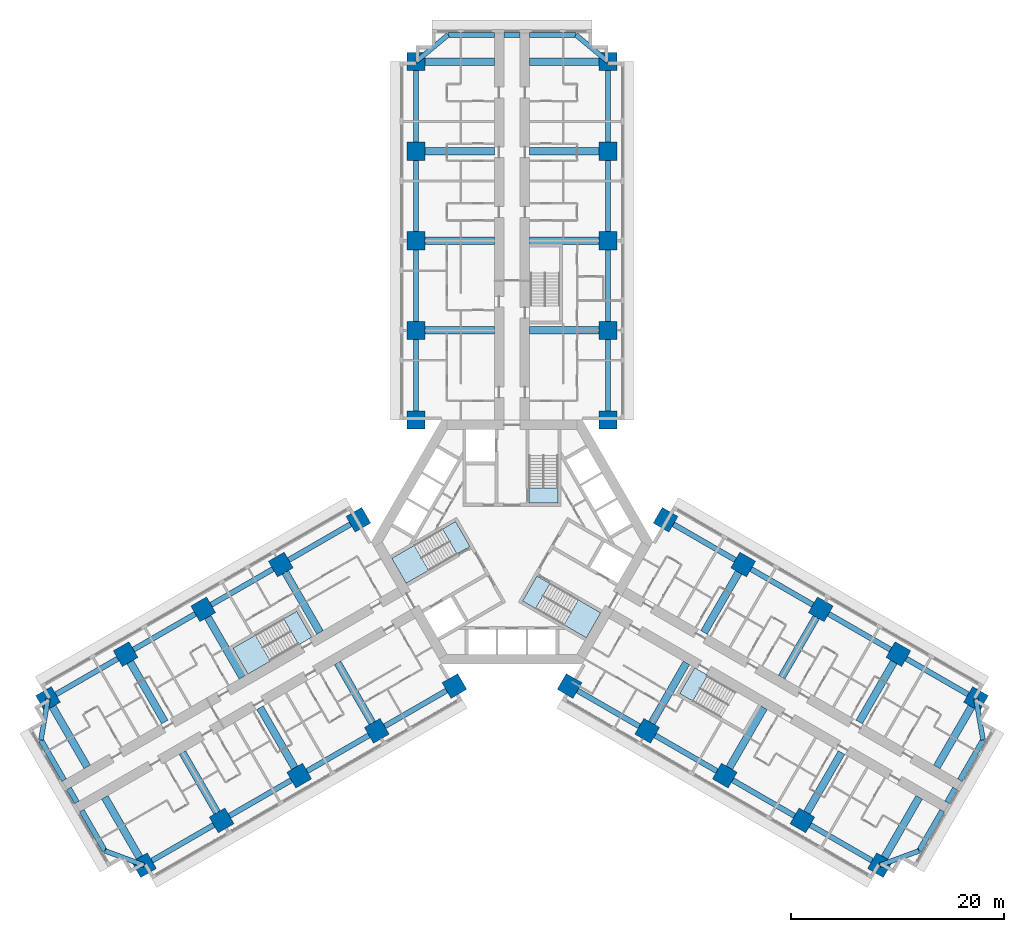
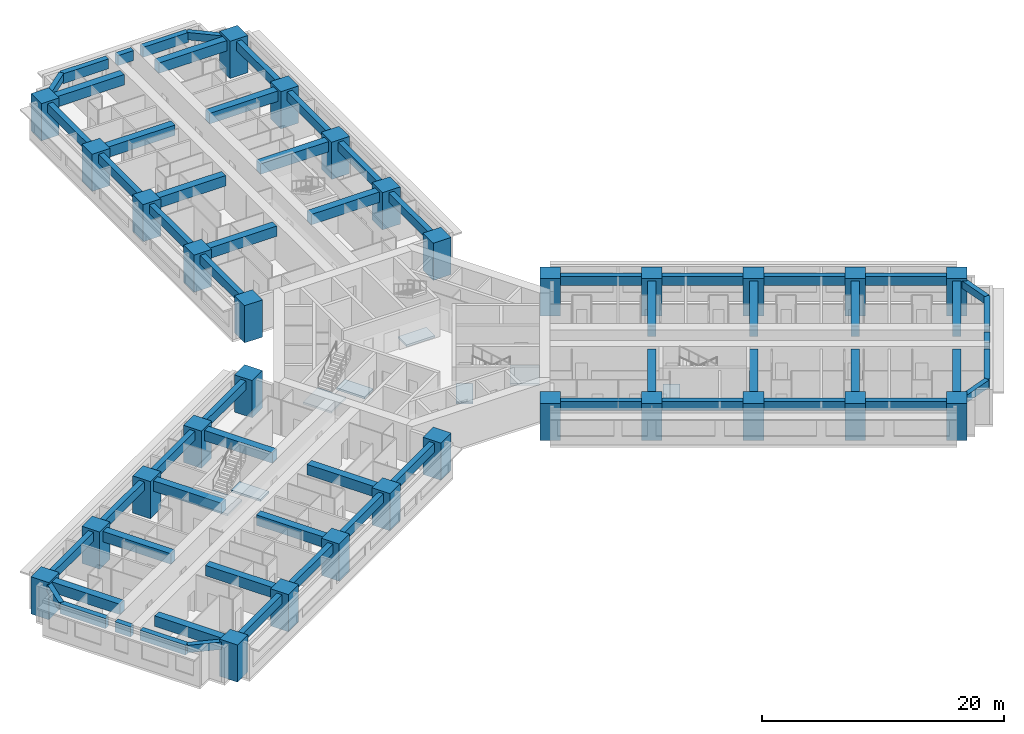
# One storey, part 1 of 16: 63 beams, 30 columns, 8 slabs, 5 elements without a shape of their own.
"""IFC4 building model written with IfcOpenShell, lengths in metres."""

import ifcopenshell
import ifcopenshell.guid

model = None  # the IFC model being written
_history = None  # IfcOwnerHistory: only IFC2X3 demands one
_inside = {}  # id of a spatial element -> (the spatial element, [elements in it])
_under = {}  # id of a project, library or spatial element -> (it, [spatial elements below it])
_declared = {}  # id of a project -> (the project, [libraries it declares])
_typed = {}  # id of a type object -> (the type object, [elements of that type])
_made_of = {}  # id of a material, layer set ... -> (it, [elements and type objects made of it])


def new_model(schema):
    """Start an empty IFC model of exactly this schema.

    Asked for "IFC4X3", IfcOpenShell would pick the latest addendum, in which some entities
    have other attributes; the version numbers below select the first issue.
    IFC2X3 requires an IfcOwnerHistory on every rooted entity: one is made here for all.
    """
    global model, _history
    if schema == "IFC4X3":
        model = ifcopenshell.file(schema_version=(4, 3, 0, 0))
    else:
        model = ifcopenshell.file(schema=schema)
    _inside.clear()
    _under.clear()
    _declared.clear()
    _typed.clear()
    _made_of.clear()
    _history = None
    if model.schema == "IFC2X3":
        org = make("IfcOrganization", Name="unknown")
        user = make(
            "IfcPersonAndOrganization",
            ThePerson=make("IfcPerson", FamilyName="unknown"),
            TheOrganization=org,
        )
        app = make(
            "IfcApplication",
            ApplicationDeveloper=org,
            Version="unknown",
            ApplicationFullName="unknown",
            ApplicationIdentifier="unknown",
        )
        _history = make(
            "IfcOwnerHistory",
            OwningUser=user,
            OwningApplication=app,
            ChangeAction="ADDED",
            CreationDate=0,
        )
    return model


def make(cls, **values):
    """One entity of the class cls with the attributes given. An attribute that is None is left unset."""
    return model.create_entity(
        cls, **{name: value for name, value in values.items() if value is not None}
    )


def rooted(cls, **values):
    """An entity with a GlobalId (a new one), such as an element, a storey or a relation."""
    return make(cls, GlobalId=ifcopenshell.guid.new(), OwnerHistory=_history, **values)


def si_unit(unit_type, name, prefix=None):
    """IfcSIUnit, for example si_unit("LENGTHUNIT", "METRE", prefix="MILLI")."""
    return make("IfcSIUnit", UnitType=unit_type, Prefix=prefix, Name=name)


def assignment(units):
    """IfcUnitAssignment: the units of a project."""
    return None if units is None else make("IfcUnitAssignment", Units=units)


def point(xyz):
    """IfcCartesianPoint."""
    return None if xyz is None else make("IfcCartesianPoint", Coordinates=xyz)


def direction(xyz):
    """IfcDirection."""
    return None if xyz is None else make("IfcDirection", DirectionRatios=xyz)


def frame(location, z_axis=None, x_axis=None):
    """IfcAxis2Placement3D, a coordinate frame: its origin and axes. An axis left out is left unset."""
    return make(
        "IfcAxis2Placement3D",
        Location=point(location),
        Axis=direction(z_axis),
        RefDirection=direction(x_axis),
    )


def frame_2d(location, x_axis=None):
    """IfcAxis2Placement2D, a coordinate frame in the plane: its origin and x axis."""
    return make(
        "IfcAxis2Placement2D", Location=point(location), RefDirection=direction(x_axis)
    )


def origin():
    """The frame at (0, 0, 0) with its axes left unset."""
    return frame((0.0, 0.0, 0.0))


def origin_2d():
    """The frame at (0, 0) in the plane with its x axis left unset."""
    return frame_2d((0.0, 0.0))


def place(relative_to, where):
    """IfcLocalPlacement: puts the frame where relative to a parent placement (None: the world)."""
    return make(
        "IfcLocalPlacement", PlacementRelTo=relative_to, RelativePlacement=where
    )


def context(
    kind, dimensions, precision=None, world=None, true_north=None, identifier=None
):
    """IfcGeometricRepresentationContext, for example the 3D "Model" context."""
    return make(
        "IfcGeometricRepresentationContext",
        ContextIdentifier=identifier,
        ContextType=kind,
        CoordinateSpaceDimension=dimensions,
        Precision=precision,
        WorldCoordinateSystem=world,
        TrueNorth=true_north,
    )


def subcontext(parent, identifier, kind, view, scale=None):
    """IfcGeometricRepresentationSubContext, for example "Body" below "Model"."""
    return make(
        "IfcGeometricRepresentationSubContext",
        ContextIdentifier=identifier,
        ContextType=kind,
        ParentContext=parent,
        TargetScale=scale,
        TargetView=view,
    )


def project(units=None, contexts=None):
    """IfcProject with its units and contexts."""
    return rooted(
        "IfcProject",
        Name="project",
        RepresentationContexts=contexts,
        UnitsInContext=assignment(units),
    )


def spatial(cls, under=None, at=None, **own):
    """A site, building, storey or space (cls), placed at a placement, below another one or the project."""
    s = rooted(cls, ObjectPlacement=at, **own)
    if under is not None:
        _under.setdefault(under.id(), (under, []))[1].append(s)
    return s


def polyline(points):
    """IfcPolyline through the points."""
    return make("IfcPolyline", Points=[point(p) for p in points])


def profile(cls, at=None, kind="AREA", **sizes):
    """A parametric profile (cls). Its sizes go by their IFC names, for example OverallWidth=200.0."""
    return make(cls, ProfileType=kind, Position=at, **sizes)


def rectangle(**sizes):
    """IfcRectangleProfileDef."""
    return profile("IfcRectangleProfileDef", **sizes)


def outline(outer, holes=None, kind="AREA"):
    """IfcArbitraryClosedProfileDef: a profile drawn as a closed curve; with holes, ...WithVoids."""
    if holes is None:
        return make("IfcArbitraryClosedProfileDef", ProfileType=kind, OuterCurve=outer)
    return make(
        "IfcArbitraryProfileDefWithVoids",
        ProfileType=kind,
        OuterCurve=outer,
        InnerCurves=holes,
    )


def extrude(swept, where, along, depth):
    """IfcExtrudedAreaSolid: the profile swept, set in the frame where, extruded along a direction by depth."""
    return make(
        "IfcExtrudedAreaSolid",
        SweptArea=swept,
        Position=where,
        ExtrudedDirection=direction(along),
        Depth=depth,
    )


def shape(context_of_items, identifier, shape_type, items):
    """IfcShapeRepresentation: the items that make up one representation, for example the "Body"."""
    return make(
        "IfcShapeRepresentation",
        ContextOfItems=context_of_items,
        RepresentationIdentifier=identifier,
        RepresentationType=shape_type,
        Items=items,
    )


def material(Name=None, Category=None):
    """IfcMaterial."""
    return make("IfcMaterial", Name=Name, Category=Category)


def layer(
    of_material, thickness, ventilated=None, Name=None, Category=None, Priority=None
):
    """IfcMaterialLayer: one layer of a wall or slab, of a material (None: an air gap)."""
    return make(
        "IfcMaterialLayer",
        Material=of_material,
        LayerThickness=thickness,
        IsVentilated=ventilated,
        Name=Name,
        Category=Category,
        Priority=Priority,
    )


def layer_set(layers, Name=None):
    """IfcMaterialLayerSet."""
    return make("IfcMaterialLayerSet", MaterialLayers=layers, LayerSetName=Name)


def material_profile(
    of_material, cross_section, Name=None, Category=None, Priority=None
):
    """IfcMaterialProfile: a cross section and its material."""
    return make(
        "IfcMaterialProfile",
        Name=Name,
        Material=of_material,
        Profile=cross_section,
        Priority=Priority,
        Category=Category,
    )


def profile_set(profiles, Name=None, composite=None):
    """IfcMaterialProfileSet."""
    return make(
        "IfcMaterialProfileSet",
        Name=Name,
        MaterialProfiles=profiles,
        CompositeProfile=composite,
    )


def made_of(thing, what):
    """Note that an element or type object is made of a material, layer set ...; save() writes the relation."""
    if what is not None:
        _made_of.setdefault(what.id(), (what, []))[1].append(thing)
    return thing


def type_object(cls, material=None, **own):
    """A type object (cls), such as IfcWallType, which elements share."""
    return made_of(rooted(cls, **own), material)


def element(
    cls,
    number,
    at=None,
    inside=None,
    cuts=None,
    type_object=None,
    material=None,
    context=None,
    identifier="Body",
    shape_type=None,
    held_by="IfcProductDefinitionShape",
    body=None,
    shapes=None,
    **own,
):
    """One element of the class cls, such as IfcWall. Its Tag is "e" and its number.

    at: its placement. inside: the storey or other place that contains it. cuts: it is an
    opening in that element (IfcRelVoidsElement). A single representation is given by context,
    identifier, shape_type and body (its items); several are given by shapes. held_by: the class
    of the entity that holds the representations. save() writes the other relations.
    """
    e = rooted(cls, Tag="e%d" % number, ObjectPlacement=at, **own)
    if body is not None:
        shapes = [shape(context, identifier, shape_type, body)]
    if shapes is not None:
        e.Representation = make(held_by, Representations=shapes)
    if inside is not None:
        _inside.setdefault(inside.id(), (inside, []))[1].append(e)
    if cuts is not None:
        rooted(
            "IfcRelVoidsElement", RelatingBuildingElement=cuts, RelatedOpeningElement=e
        )
    if type_object is not None:
        _typed.setdefault(type_object.id(), (type_object, []))[1].append(e)
    return made_of(e, material)


def aggregate(whole, parts):
    """IfcRelAggregates: a whole, such as a stair, and the parts it consists of."""
    return rooted("IfcRelAggregates", RelatingObject=whole, RelatedObjects=parts)


def save(model, path):
    """Write the relations noted so far, then the file.

    IfcRelAggregates (storeys below a building ...), IfcRelContainedInSpatialStructure (elements
    in a storey), IfcRelDefinesByType, IfcRelAssociatesMaterial and IfcRelDeclares: one each for
    every whole, place, type object, material and project.
    """
    for whole, parts in _under.values():
        aggregate(whole, parts)
    for where, things in _inside.values():
        rooted(
            "IfcRelContainedInSpatialStructure",
            RelatedElements=things,
            RelatingStructure=where,
        )
    for kind, things in _typed.values():
        rooted("IfcRelDefinesByType", RelatedObjects=things, RelatingType=kind)
    for what, things in _made_of.values():
        rooted("IfcRelAssociatesMaterial", RelatedObjects=things, RelatingMaterial=what)
    for by, libraries in _declared.values():
        rooted("IfcRelDeclares", RelatingContext=by, RelatedDefinitions=libraries)
    model.write(path)


model = new_model("IFC4")

# Units and contexts
model_context = context("Model", 3, precision=1e-05, world=origin(), true_north=direction((0.0, 1.0)))
body_context = subcontext(model_context, "Body", "Model", "MODEL_VIEW")
ifc_project = project(units=[si_unit("LENGTHUNIT", "METRE"), si_unit("AREAUNIT", "SQUARE_METRE"), si_unit("VOLUMEUNIT", "CUBIC_METRE"), si_unit("PLANEANGLEUNIT", "RADIAN"), si_unit("MASSUNIT", "GRAM", prefix="KILO")], contexts=[model_context])

# Site, building, storey
site_placement = place(None, origin())
site = spatial("IfcSite", under=ifc_project, at=site_placement, CompositionType="ELEMENT")
building_placement = place(site_placement, origin())
building = spatial("IfcBuilding", under=site, at=building_placement, Name="Impinga Residences", CompositionType="ELEMENT")
storey_placement = place(building_placement, frame((0.0, 0.0, 41.0)))
storey = spatial("IfcBuildingStorey", under=building, at=storey_placement, Name="L09", CompositionType="ELEMENT", Elevation=41.0)

# Columns
ifc_material_1 = material(Name="Concrete C70/85", Category="concrete")
ifc_material_profile_1 = material_profile(ifc_material_1, rectangle(XDim=1.699951171875, YDim=1.699951171875, at=origin_2d()), Name="RC 1700x1700")
ifc_profile_set_1 = profile_set([ifc_material_profile_1], Name="Concrete C70/85")
column_type = type_object("IfcColumnType", Name="C10 1700x1700 column", PredefinedType="COLUMN", material=ifc_profile_set_1)
for number, where, z_axis, x_axis, name in (
    (1, (-9.0, 11.431640625, 0.0), (0.0, 0.0, 1.0), (1.0, 0.0, 0.0), "Column C10 N1/NA L09"),
    (2, (9.0, 11.431640625, 0.0), (0.0, 0.0, 1.0), (1.0, 0.0, 0.0), "Column C10 N1/NF L09"),
    (3, (-9.0, 19.83154296875, 0.0), (0.0, 0.0, 1.0), (1.0, 0.0, 0.0), "Column C10 N2/NA L09"),
    (4, (9.0, 19.83154296875, 0.0), (0.0, 0.0, 1.0), (1.0, 0.0, 0.0), "Column C10 N2/NF L09"),
    (5, (-9.0, 28.2314453125, 0.0), (0.0, 0.0, 1.0), (1.0, 0.0, 0.0), "Column C10 N3/NA L09"),
    (6, (9.0, 28.2314453125, 0.0), (0.0, 0.0, 1.0), (1.0, 0.0, 0.0), "Column C10 N3/NF L09"),
    (7, (-9.0, 36.631591796875, 0.0), (0.0, 0.0, 1.0), (1.0, 0.0, 0.0), "Column C10 N4/NA L09"),
    (8, (9.0, 36.631591796875, 0.0), (0.0, 0.0, 1.0), (1.0, 0.0, 0.0), "Column C10 N4/NF L09"),
    (9, (-9.0, 45.031494140625, 0.0), (0.0, 0.0, 1.0), (1.0, 0.0, 0.0), "Column C10 N5/NA L09"),
    (10, (9.0, 45.031494140625, 0.0), (0.0, 0.0, 1.0), (1.0, 0.0, 0.0), "Column C10 N5/NF L09"),
    (11, (-5.39990234375, -13.510009765625, 0.0), (0.0, 0.0, 1.0), (-0.5, 0.866025403784, 0.0), "Column C10 W1/WA L09"),
    (12, (-14.39990234375, 2.078369140625, 0.0), (0.0, 0.0, 1.0), (-0.5, 0.866025403784, 0.0), "Column C10 W1/WF L09"),
    (13, (-12.674560546875, -17.7099609375, 0.0), (0.0, 0.0, 1.0), (-0.5, 0.866025403784, 0.0), "Column C10 W2/WA L09"),
    (14, (-21.674560546875, -2.12158203125, 0.0), (0.0, 0.0, 1.0), (-0.5, 0.866025403784, 0.0), "Column C10 W2/WF L09"),
    (15, (-19.94921875, -21.909912109375, 0.0), (0.0, 0.0, 1.0), (-0.5, 0.866025403784, 0.0), "Column C10 W3/WA L09"),
    (16, (-28.94921875, -6.321533203125, 0.0), (0.0, 0.0, 1.0), (-0.5, 0.866025403784, 0.0), "Column C10 W3/WF L09"),
    (17, (-27.223876953125, -26.110107421875, 0.0), (0.0, 0.0, 1.0), (-0.5, 0.866025403784, 0.0), "Column C10 W4/WA L09"),
    (18, (-36.223876953125, -10.521484375, 0.0), (0.0, 0.0, 1.0), (-0.5, 0.866025403784, 0.0), "Column C10 W4/WF L09"),
    (19, (-34.49853515625, -30.31005859375, 0.0), (0.0, 0.0, 1.0), (-0.5, 0.866025403784, 0.0), "Column C10 W5/WA L09"),
    (20, (-43.49853515625, -14.721435546875, 0.0), (0.0, 0.0, 1.0), (-0.5, 0.866025403784, 0.0), "Column C10 W5/WF L09"),
    (21, (14.39990234375, 2.078369140625, 0.0), (0.0, 0.0, 1.0), (-0.5, -0.866025403784, 0.0), "Column C10 E1/EA L09"),
    (22, (5.39990234375, -13.510009765625, 0.0), (0.0, 0.0, 1.0), (-0.5, -0.866025403784, 0.0), "Column C10 E1/EF L09"),
    (23, (21.674560546875, -2.12158203125, 0.0), (0.0, 0.0, 1.0), (-0.5, -0.866025403784, 0.0), "Column C10 E2/EA L09"),
    (24, (12.674560546875, -17.7099609375, 0.0), (0.0, 0.0, 1.0), (-0.5, -0.866025403784, 0.0), "Column C10 E2/EF L09"),
    (25, (28.94921875, -6.321533203125, 0.0), (0.0, 0.0, 1.0), (-0.5, -0.866025403784, 0.0), "Column C10 E3/EA L09"),
    (26, (19.94921875, -21.909912109375, 0.0), (0.0, 0.0, 1.0), (-0.5, -0.866025403784, 0.0), "Column C10 E3/EF L09"),
    (27, (36.223876953125, -10.521484375, 0.0), (0.0, 0.0, 1.0), (-0.5, -0.866025403784, 0.0), "Column C10 E4/EA L09"),
    (28, (27.223876953125, -26.110107421875, 0.0), (0.0, 0.0, 1.0), (-0.5, -0.866025403784, 0.0), "Column C10 E4/EF L09"),
    (29, (43.49853515625, -14.721435546875, 0.0), (0.0, 0.0, 1.0), (-0.5, -0.866025403784, 0.0), "Column C10 E5/EA L09"),
    (30, (34.49853515625, -30.31005859375, 0.0), (0.0, 0.0, 1.0), (-0.5, -0.866025403784, 0.0), "Column C10 E5/EF L09"),
):
    element("IfcColumn", number, at=place(storey_placement, frame(where, z_axis=z_axis, x_axis=x_axis)), inside=storey, type_object=column_type, Name=name, PredefinedType="COLUMN", context=body_context, shape_type="SweptSolid", body=[
        extrude(rectangle(XDim=1.699951171875, YDim=1.699951171875, at=origin_2d()), origin(), (0.0, 0.0, 1.0), 3.75),
    ])

# Beams
ifc_material_2 = material(Name="Concrete C60/75", Category="concrete")
ifc_material_profile_2 = material_profile(ifc_material_2, rectangle(XDim=0.449951171875, YDim=0.75, at=origin_2d()), Name="RC 450x750")
ifc_profile_set_2 = profile_set([ifc_material_profile_2], Name="Concrete C60/75")
beam_type_1 = type_object("IfcBeamType", Name="CB1 450x750 wing end cantilever beam", PredefinedType="BEAM", material=ifc_profile_set_2)
for number, where, z_axis, x_axis, name in (
    (31, (-9.0, 45.031494140625, 3.155029296875), (0.768221279597, 0.640184399664, 0.0), (-0.640184399664, 0.768221279597, 0.0), "Beam CB1 NB N5-NX level L10"),
    (32, (9.0, 45.031494140625, 3.155029296875), (-0.768221279597, 0.640184399664, 0.0), (-0.640184399664, -0.768221279597, 0.0), "Beam CB1 NE N5-NX level L10"),
    (33, (-34.49853515625, -30.31005859375, 3.155029296875), (-0.938520178725, 0.345224382289, 0.0), (-0.345224382289, -0.938520178725, 0.0), "Beam CB1 WB W5-WX level L10"),
):
    element("IfcBeam", number, at=place(storey_placement, frame(where, z_axis=z_axis, x_axis=x_axis)), inside=storey, type_object=beam_type_1, Name=name, PredefinedType="BEAM", context=body_context, shape_type="SweptSolid", body=[
        extrude(rectangle(XDim=0.449951171875, YDim=0.75, at=origin_2d()), origin(), (0.0, 0.0, 1.0), 3.905029296875),
    ])
for number, where, z_axis, x_axis, name in (
    (34, (-43.49853515625, -14.721435546875, 3.155029296875), (-0.170296298948, -0.985392901621, 0.0), (0.985392901621, -0.170296298948, 0.0), "Beam CB1 WE W5-WX level L10"),
    (35, (43.49853515625, -14.721435546875, 3.155029296875), (0.170296298948, -0.985392901621, 0.0), (0.985392901621, 0.170296298948, 0.0), "Beam CB1 EB E5-EX level L10"),
):
    element("IfcBeam", number, at=place(storey_placement, frame(where, z_axis=z_axis, x_axis=x_axis)), inside=storey, type_object=beam_type_1, Name=name, PredefinedType="BEAM", context=body_context, shape_type="SweptSolid", body=[
        extrude(rectangle(XDim=0.449951171875, YDim=0.75, at=origin_2d()), origin(), (0.0, 0.0, 1.0), 3.9052734375),
    ])
beam_1_placement = place(storey_placement, frame((34.49853515625, -30.31005859375, 3.155029296875), z_axis=(0.938520178725, 0.345224382289, 0.0), x_axis=(-0.345224382289, 0.938520178725, 0.0)))
element("IfcBeam", 36, at=beam_1_placement, inside=storey, type_object=beam_type_1, Name="Beam CB1 EE E5-EX level L10", PredefinedType="BEAM", context=body_context, shape_type="SweptSolid", body=[
    extrude(rectangle(XDim=0.449951171875, YDim=0.75, at=origin_2d()), origin(), (0.0, 0.0, 1.0), 3.905029296875),
])
ifc_material_profile_3 = material_profile(ifc_material_2, rectangle(XDim=0.699951171875, YDim=1.050048828125, at=origin_2d()), Name="RC 700x1050")
ifc_profile_set_3 = profile_set([ifc_material_profile_3], Name="Concrete C60/75")
beam_type_2 = type_object("IfcBeamType", Name="CG1 700x1050 cross girder on a wing bay line", PredefinedType="BEAM", material=ifc_profile_set_3)
for number, where, z_axis, x_axis, name in (
    (37, (-1.64990234375, 19.83154296875, 3.0048828125), (-1.0, 0.0, 0.0), (0.0, -1.0, 0.0), "Beam CG1 N2 NC/NA level L10"),
    (38, (-1.64990234375, 28.2314453125, 3.0048828125), (-1.0, 0.0, 0.0), (0.0, -1.0, 0.0), "Beam CG1 N3 NC/NA level L10"),
    (39, (-1.64990234375, 36.631591796875, 3.0048828125), (-1.0, 0.0, 0.0), (0.0, -1.0, 0.0), "Beam CG1 N4 NC/NA level L10"),
    (40, (-1.64990234375, 45.031494140625, 3.0048828125), (-1.0, 0.0, 0.0), (0.0, -1.0, 0.0), "Beam CG1 N5 NC/NA level L10"),
    (41, (1.64990234375, 19.83154296875, 3.0048828125), (1.0, 0.0, 0.0), (0.0, 1.0, 0.0), "Beam CG1 N2 NC/NF level L10"),
    (42, (1.64990234375, 28.2314453125, 3.0048828125), (1.0, 0.0, 0.0), (0.0, 1.0, 0.0), "Beam CG1 N3 NC/NF level L10"),
    (43, (1.64990234375, 36.631591796875, 3.0048828125), (1.0, 0.0, 0.0), (0.0, 1.0, 0.0), "Beam CG1 N4 NC/NF level L10"),
    (44, (1.64990234375, 45.031494140625, 3.0048828125), (1.0, 0.0, 0.0), (0.0, 1.0, 0.0), "Beam CG1 N5 NC/NF level L10"),
    (45, (-16.349609375, -11.3447265625, 3.0048828125), (0.500008066151, -0.86602074674, 0.0), (0.86602074674, 0.500008066151, 0.0), "Beam CG1 W2 WC/WA level L10"),
    (46, (-23.624267578125, -15.544677734375, 3.0048828125), (0.500008066151, -0.86602074674, 0.0), (0.86602074674, 0.500008066151, 0.0), "Beam CG1 W3 WC/WA level L10"),
    (47, (-30.89892578125, -19.74462890625, 3.0048828125), (0.499993683172, -0.866029050776, 0.0), (0.866029050776, 0.499993683172, 0.0), "Beam CG1 W4 WC/WA level L10"),
):
    element("IfcBeam", number, at=place(storey_placement, frame(where, z_axis=z_axis, x_axis=x_axis)), inside=storey, type_object=beam_type_2, Name=name, PredefinedType="BEAM", context=body_context, shape_type="SweptSolid", body=[
        extrude(rectangle(XDim=0.699951171875, YDim=1.050048828125, at=origin_2d()), origin(), (0.0, 0.0, 1.0), 7.35009765625),
    ])
beam_2_placement = place(storey_placement, frame((-38.17333984375, -23.94482421875, 3.0048828125), z_axis=(0.499983153418, -0.866035129944, 0.0), x_axis=(0.866035129944, 0.499983153418, 0.0)))
element("IfcBeam", 48, at=beam_2_placement, inside=storey, type_object=beam_type_2, Name="Beam CG1 W5 WC/WA level L10", PredefinedType="BEAM", context=body_context, shape_type="SweptSolid", body=[
    extrude(rectangle(XDim=0.699951171875, YDim=1.050048828125, at=origin_2d()), origin(), (0.0, 0.0, 1.0), 7.349853515625),
])
for number, where, z_axis, x_axis, name in (
    (49, (-17.99951171875, -8.48681640625, 3.0048828125), (-0.500008066151, 0.86602074674, 0.0), (-0.86602074674, -0.500008066151, 0.0), "Beam CG1 W2 WC/WF level L10"),
    (50, (-25.274169921875, -12.686767578125, 3.0048828125), (-0.500008066151, 0.86602074674, 0.0), (-0.86602074674, -0.500008066151, 0.0), "Beam CG1 W3 WC/WF level L10"),
    (51, (-32.548828125, -16.88671875, 3.0048828125), (-0.500008066151, 0.86602074674, 0.0), (-0.86602074674, -0.500008066151, 0.0), "Beam CG1 W4 WC/WF level L10"),
    (52, (-39.823486328125, -21.0869140625, 3.0048828125), (-0.499993683172, 0.866029050776, 0.0), (-0.866029050776, -0.499993683172, 0.0), "Beam CG1 W5 WC/WF level L10"),
    (53, (17.99951171875, -8.48681640625, 3.0048828125), (0.500008066151, 0.86602074674, 0.0), (-0.86602074674, 0.500008066151, 0.0), "Beam CG1 E2 EC/EA level L10"),
    (54, (25.274169921875, -12.686767578125, 3.0048828125), (0.500008066151, 0.86602074674, 0.0), (-0.86602074674, 0.500008066151, 0.0), "Beam CG1 E3 EC/EA level L10"),
    (55, (32.548828125, -16.88671875, 3.0048828125), (0.500008066151, 0.86602074674, 0.0), (-0.86602074674, 0.500008066151, 0.0), "Beam CG1 E4 EC/EA level L10"),
    (56, (39.823486328125, -21.0869140625, 3.0048828125), (0.499993683172, 0.866029050776, 0.0), (-0.866029050776, 0.499993683172, 0.0), "Beam CG1 E5 EC/EA level L10"),
    (57, (16.349609375, -11.3447265625, 3.0048828125), (-0.500008066151, -0.86602074674, 0.0), (0.86602074674, -0.500008066151, 0.0), "Beam CG1 E2 EC/EF level L10"),
    (58, (23.624267578125, -15.544677734375, 3.0048828125), (-0.500008066151, -0.86602074674, 0.0), (0.86602074674, -0.500008066151, 0.0), "Beam CG1 E3 EC/EF level L10"),
    (59, (30.89892578125, -19.74462890625, 3.0048828125), (-0.499993683172, -0.866029050776, 0.0), (0.866029050776, -0.499993683172, 0.0), "Beam CG1 E4 EC/EF level L10"),
):
    element("IfcBeam", number, at=place(storey_placement, frame(where, z_axis=z_axis, x_axis=x_axis)), inside=storey, type_object=beam_type_2, Name=name, PredefinedType="BEAM", context=body_context, shape_type="SweptSolid", body=[
        extrude(rectangle(XDim=0.699951171875, YDim=1.050048828125, at=origin_2d()), origin(), (0.0, 0.0, 1.0), 7.35009765625),
    ])
beam_3_placement = place(storey_placement, frame((38.17333984375, -23.94482421875, 3.0048828125), z_axis=(-0.499983153418, -0.866035129944, 0.0), x_axis=(0.866035129944, -0.499983153418, 0.0)))
element("IfcBeam", 60, at=beam_3_placement, inside=storey, type_object=beam_type_2, Name="Beam CG1 E5 EC/EF level L10", PredefinedType="BEAM", context=body_context, shape_type="SweptSolid", body=[
    extrude(rectangle(XDim=0.699951171875, YDim=1.050048828125, at=origin_2d()), origin(), (0.0, 0.0, 1.0), 7.349853515625),
])
ifc_material_profile_4 = material_profile(ifc_material_2, rectangle(XDim=0.5, YDim=1.0, at=origin_2d()), Name="RC 500x1000")
ifc_profile_set_4 = profile_set([ifc_material_profile_4], Name="Concrete C60/75")
beam_type_3 = type_object("IfcBeamType", Name="EB1 500x1000 wing end beam", PredefinedType="BEAM", material=ifc_profile_set_4)
beam_4_placement = place(storey_placement, frame((-6.0, 47.531494140625, 3.030029296875), z_axis=(1.0, 0.0, 0.0), x_axis=(0.0, 1.0, 0.0)))
element("IfcBeam", 61, at=beam_4_placement, inside=storey, type_object=beam_type_3, Name="Beam EB1 NX4 level L10", PredefinedType="BEAM", context=body_context, shape_type="SweptSolid", body=[
    extrude(rectangle(XDim=0.5, YDim=1.0, at=origin_2d()), origin(), (0.0, 0.0, 1.0), 4.35009765625),
])
beam_5_placement = place(storey_placement, frame((-0.75, 47.531494140625, 3.030029296875), z_axis=(1.0, 0.0, 0.0), x_axis=(0.0, 1.0, 0.0)))
element("IfcBeam", 62, at=beam_5_placement, inside=storey, type_object=beam_type_3, Name="Beam EB1 NX4 level L10", PredefinedType="BEAM", context=body_context, shape_type="SweptSolid", body=[
    extrude(rectangle(XDim=0.5, YDim=1.0, at=origin_2d()), origin(), (0.0, 0.0, 1.0), 1.5),
])
beam_6_placement = place(storey_placement, frame((1.64990234375, 47.531494140625, 3.030029296875), z_axis=(1.0, 0.0, 0.0), x_axis=(0.0, 1.0, 0.0)))
element("IfcBeam", 63, at=beam_6_placement, inside=storey, type_object=beam_type_3, Name="Beam EB1 NX4 level L10", PredefinedType="BEAM", context=body_context, shape_type="SweptSolid", body=[
    extrude(rectangle(XDim=0.5, YDim=1.0, at=origin_2d()), origin(), (0.0, 0.0, 1.0), 4.35009765625),
])
beam_7_placement = place(storey_placement, frame((-38.16357421875, -28.9619140625, 3.030029296875), z_axis=(-0.500020430026, 0.866013608182, 0.0), x_axis=(-0.866013608182, -0.500020430026, 0.0)))
element("IfcBeam", 64, at=beam_7_placement, inside=storey, type_object=beam_type_3, Name="Beam EB1 WX4 level L10", PredefinedType="BEAM", context=body_context, shape_type="SweptSolid", body=[
    extrude(rectangle(XDim=0.5, YDim=1.0, at=origin_2d()), origin(), (0.0, 0.0, 1.0), 4.349853515625),
])
beam_8_placement = place(storey_placement, frame((-40.78857421875, -24.415283203125, 3.030029296875), z_axis=(-0.499990139034, 0.866031096941, 0.0), x_axis=(-0.866031096941, -0.499990139034, 0.0)))
element("IfcBeam", 65, at=beam_8_placement, inside=storey, type_object=beam_type_3, Name="Beam EB1 WX4 level L10", PredefinedType="BEAM", context=body_context, shape_type="SweptSolid", body=[
    extrude(rectangle(XDim=0.5, YDim=1.0, at=origin_2d()), origin(), (0.0, 0.0, 1.0), 1.5),
])
for number, where, z_axis, x_axis, name in (
    (66, (-41.988525390625, -22.3369140625, 3.030029296875), (-0.499996127374, 0.866027639635, 0.0), (-0.866027639635, -0.499996127374, 0.0), "Beam EB1 WX4 level L10"),
    (67, (44.16357421875, -18.569580078125, 3.030029296875), (-0.499996127374, -0.866027639635, 0.0), (0.866027639635, -0.499996127374, 0.0), "Beam EB1 EX4 level L10"),
):
    element("IfcBeam", number, at=place(storey_placement, frame(where, z_axis=z_axis, x_axis=x_axis)), inside=storey, type_object=beam_type_3, Name=name, PredefinedType="BEAM", context=body_context, shape_type="SweptSolid", body=[
        extrude(rectangle(XDim=0.5, YDim=1.0, at=origin_2d()), origin(), (0.0, 0.0, 1.0), 4.35009765625),
    ])
beam_9_placement = place(storey_placement, frame((41.53857421875, -23.1162109375, 3.030029296875), z_axis=(-0.499990139034, -0.866031096941, 0.0), x_axis=(0.866031096941, -0.499990139034, 0.0)))
element("IfcBeam", 68, at=beam_9_placement, inside=storey, type_object=beam_type_3, Name="Beam EB1 EX4 level L10", PredefinedType="BEAM", context=body_context, shape_type="SweptSolid", body=[
    extrude(rectangle(XDim=0.5, YDim=1.0, at=origin_2d()), origin(), (0.0, 0.0, 1.0), 1.5),
])
beam_10_placement = place(storey_placement, frame((40.338623046875, -25.19482421875, 3.030029296875), z_axis=(-0.500020430026, -0.866013608182, 0.0), x_axis=(0.866013608182, -0.500020430026, 0.0)))
element("IfcBeam", 69, at=beam_10_placement, inside=storey, type_object=beam_type_3, Name="Beam EB1 EX4 level L10", PredefinedType="BEAM", context=body_context, shape_type="SweptSolid", body=[
    extrude(rectangle(XDim=0.5, YDim=1.0, at=origin_2d()), origin(), (0.0, 0.0, 1.0), 4.349853515625),
])
ifc_material_profile_5 = material_profile(ifc_material_2, rectangle(XDim=0.5, YDim=0.89990234375, at=origin_2d()), Name="RC 500x900")
ifc_profile_set_5 = profile_set([ifc_material_profile_5], Name="Concrete C60/75")
beam_type_4 = type_object("IfcBeamType", Name="SB1 500x900 perimeter spandrel beam", PredefinedType="SPANDREL", material=ifc_profile_set_5)
for number, where, z_axis, x_axis, name in (
    (70, (-9.0, 11.431640625, 3.080078125), (0.0, 1.0, 0.0), (-1.0, 0.0, 0.0), "Beam SB1 NA N1-N2 level L10"),
    (71, (-9.0, 19.83154296875, 3.080078125), (0.0, 1.0, 0.0), (-1.0, 0.0, 0.0), "Beam SB1 NA N2-N3 level L10"),
):
    element("IfcBeam", number, at=place(storey_placement, frame(where, z_axis=z_axis, x_axis=x_axis)), inside=storey, type_object=beam_type_4, Name=name, PredefinedType="SPANDREL", context=body_context, shape_type="SweptSolid", body=[
        extrude(rectangle(XDim=0.5, YDim=0.89990234375, at=origin_2d()), origin(), (0.0, 0.0, 1.0), 8.39990234375),
    ])
beam_11_placement = place(storey_placement, frame((-9.0, 28.2314453125, 3.080078125), z_axis=(0.0, 1.0, 0.0), x_axis=(-1.0, 0.0, 0.0)))
element("IfcBeam", 72, at=beam_11_placement, inside=storey, type_object=beam_type_4, Name="Beam SB1 NA N3-N4 level L10", PredefinedType="SPANDREL", context=body_context, shape_type="SweptSolid", body=[
    extrude(rectangle(XDim=0.5, YDim=0.89990234375, at=origin_2d()), origin(), (0.0, 0.0, 1.0), 8.400146484375),
])
for number, where, z_axis, x_axis, name in (
    (73, (-9.0, 36.631591796875, 3.080078125), (0.0, 1.0, 0.0), (-1.0, 0.0, 0.0), "Beam SB1 NA N4-N5 level L10"),
    (74, (9.0, 11.431640625, 3.080078125), (0.0, 1.0, 0.0), (-1.0, 0.0, 0.0), "Beam SB1 NF N1-N2 level L10"),
    (75, (9.0, 19.83154296875, 3.080078125), (0.0, 1.0, 0.0), (-1.0, 0.0, 0.0), "Beam SB1 NF N2-N3 level L10"),
):
    element("IfcBeam", number, at=place(storey_placement, frame(where, z_axis=z_axis, x_axis=x_axis)), inside=storey, type_object=beam_type_4, Name=name, PredefinedType="SPANDREL", context=body_context, shape_type="SweptSolid", body=[
        extrude(rectangle(XDim=0.5, YDim=0.89990234375, at=origin_2d()), origin(), (0.0, 0.0, 1.0), 8.39990234375),
    ])
beam_12_placement = place(storey_placement, frame((9.0, 28.2314453125, 3.080078125), z_axis=(0.0, 1.0, 0.0), x_axis=(-1.0, 0.0, 0.0)))
element("IfcBeam", 76, at=beam_12_placement, inside=storey, type_object=beam_type_4, Name="Beam SB1 NF N3-N4 level L10", PredefinedType="SPANDREL", context=body_context, shape_type="SweptSolid", body=[
    extrude(rectangle(XDim=0.5, YDim=0.89990234375, at=origin_2d()), origin(), (0.0, 0.0, 1.0), 8.400146484375),
])
for number, where, z_axis, x_axis, name in (
    (77, (9.0, 36.631591796875, 3.080078125), (0.0, 1.0, 0.0), (-1.0, 0.0, 0.0), "Beam SB1 NF N4-N5 level L10"),
    (78, (-5.39990234375, -13.510009765625, 3.080078125), (-0.86602925447, -0.499993330357, 0.0), (0.499993330357, -0.86602925447, 0.0), "Beam SB1 WA W1-W2 level L10"),
    (79, (-12.674560546875, -17.7099609375, 3.080078125), (-0.86602925447, -0.499993330357, 0.0), (0.499993330357, -0.86602925447, 0.0), "Beam SB1 WA W2-W3 level L10"),
):
    element("IfcBeam", number, at=place(storey_placement, frame(where, z_axis=z_axis, x_axis=x_axis)), inside=storey, type_object=beam_type_4, Name=name, PredefinedType="SPANDREL", context=body_context, shape_type="SweptSolid", body=[
        extrude(rectangle(XDim=0.5, YDim=0.89990234375, at=origin_2d()), origin(), (0.0, 0.0, 1.0), 8.39990234375),
    ])
beam_13_placement = place(storey_placement, frame((-19.94921875, -21.909912109375, 3.080078125), z_axis=(-0.866016669275, -0.500015128309, 0.0), x_axis=(0.500015128309, -0.866016669275, 0.0)))
element("IfcBeam", 80, at=beam_13_placement, inside=storey, type_object=beam_type_4, Name="Beam SB1 WA W3-W4 level L10", PredefinedType="SPANDREL", context=body_context, shape_type="SweptSolid", body=[
    extrude(rectangle(XDim=0.5, YDim=0.89990234375, at=origin_2d()), origin(), (0.0, 0.0, 1.0), 8.400146484375),
])
for number, where, z_axis, x_axis, name in (
    (81, (-27.223876953125, -26.110107421875, 3.080078125), (-0.86602925447, -0.499993330357, 0.0), (0.499993330357, -0.86602925447, 0.0), "Beam SB1 WA W4-W5 level L10"),
    (82, (-14.39990234375, 2.078369140625, 3.080078125), (-0.86602925447, -0.499993330357, 0.0), (0.499993330357, -0.86602925447, 0.0), "Beam SB1 WF W1-W2 level L10"),
    (83, (-21.674560546875, -2.12158203125, 3.080078125), (-0.86602925447, -0.499993330357, 0.0), (0.499993330357, -0.86602925447, 0.0), "Beam SB1 WF W2-W3 level L10"),
    (84, (-28.94921875, -6.321533203125, 3.080078125), (-0.86602925447, -0.499993330357, 0.0), (0.499993330357, -0.86602925447, 0.0), "Beam SB1 WF W3-W4 level L10"),
    (85, (-36.223876953125, -10.521484375, 3.080078125), (-0.86602925447, -0.499993330357, 0.0), (0.499993330357, -0.86602925447, 0.0), "Beam SB1 WF W4-W5 level L10"),
    (86, (14.39990234375, 2.078369140625, 3.080078125), (0.86602925447, -0.499993330357, 0.0), (0.499993330357, 0.86602925447, 0.0), "Beam SB1 EA E1-E2 level L10"),
    (87, (21.674560546875, -2.12158203125, 3.080078125), (0.86602925447, -0.499993330357, 0.0), (0.499993330357, 0.86602925447, 0.0), "Beam SB1 EA E2-E3 level L10"),
    (88, (28.94921875, -6.321533203125, 3.080078125), (0.86602925447, -0.499993330357, 0.0), (0.499993330357, 0.86602925447, 0.0), "Beam SB1 EA E3-E4 level L10"),
    (89, (36.223876953125, -10.521484375, 3.080078125), (0.86602925447, -0.499993330357, 0.0), (0.499993330357, 0.86602925447, 0.0), "Beam SB1 EA E4-E5 level L10"),
    (90, (5.39990234375, -13.510009765625, 3.080078125), (0.86602925447, -0.499993330357, 0.0), (0.499993330357, 0.86602925447, 0.0), "Beam SB1 EF E1-E2 level L10"),
    (91, (12.674560546875, -17.7099609375, 3.080078125), (0.86602925447, -0.499993330357, 0.0), (0.499993330357, 0.86602925447, 0.0), "Beam SB1 EF E2-E3 level L10"),
):
    element("IfcBeam", number, at=place(storey_placement, frame(where, z_axis=z_axis, x_axis=x_axis)), inside=storey, type_object=beam_type_4, Name=name, PredefinedType="SPANDREL", context=body_context, shape_type="SweptSolid", body=[
        extrude(rectangle(XDim=0.5, YDim=0.89990234375, at=origin_2d()), origin(), (0.0, 0.0, 1.0), 8.39990234375),
    ])
beam_14_placement = place(storey_placement, frame((19.94921875, -21.909912109375, 3.080078125), z_axis=(0.866016669275, -0.500015128309, 0.0), x_axis=(0.500015128309, 0.866016669275, 0.0)))
element("IfcBeam", 92, at=beam_14_placement, inside=storey, type_object=beam_type_4, Name="Beam SB1 EF E3-E4 level L10", PredefinedType="SPANDREL", context=body_context, shape_type="SweptSolid", body=[
    extrude(rectangle(XDim=0.5, YDim=0.89990234375, at=origin_2d()), origin(), (0.0, 0.0, 1.0), 8.400146484375),
])
beam_15_placement = place(storey_placement, frame((27.223876953125, -26.110107421875, 3.080078125), z_axis=(0.86602925447, -0.499993330357, 0.0), x_axis=(0.499993330357, 0.86602925447, 0.0)))
element("IfcBeam", 93, at=beam_15_placement, inside=storey, type_object=beam_type_4, Name="Beam SB1 EF E4-E5 level L10", PredefinedType="SPANDREL", context=body_context, shape_type="SweptSolid", body=[
    extrude(rectangle(XDim=0.5, YDim=0.89990234375, at=origin_2d()), origin(), (0.0, 0.0, 1.0), 8.39990234375),
])

# Stair, slab
ifc_material_3 = material(Name="Concrete C40/50", Category="concrete")
stair_type_1 = type_object("IfcStairType", Name="STR core stair 3750 storey, 24 risers", PredefinedType="HALF_TURN_STAIR", material=ifc_material_3)
stair_1_placement = place(storey_placement, origin())
stair_1 = element("IfcStair", 94, at=stair_1_placement, inside=storey, type_object=stair_type_1, Name="Stair ST1 L09", PredefinedType="HALF_TURN_STAIR")
ifc_layer = layer(ifc_material_3, 0.199951171875)
ifc_layer_set = layer_set([ifc_layer], Name="Concrete C40/50")
slab_type = type_object("IfcSlabType", Name="LS1 stair landing 200", PredefinedType="LANDING", material=ifc_layer_set)
slab_1_placement = place(storey_placement, frame((0.0, 0.0, -0.199951171875)))
slab_1 = element("IfcSlab", 95, at=slab_1_placement, type_object=slab_type, Name="ST1 landing 1", PredefinedType="LANDING", context=body_context, shape_type="SweptSolid", body=[
    extrude(outline(polyline([(1.60009765625, 3.6298828125), (4.300048828125, 3.6298828125), (4.300048828125, 5.0400390625), (1.60009765625, 5.0400390625), (1.60009765625, 3.6298828125)])), origin(), (0.0, 0.0, 1.0), 0.199951171875),
])
aggregate(stair_1, [slab_1])

# Stair, slabs
stair_2_placement = place(storey_placement, origin())
stair_2 = element("IfcStair", 96, at=stair_2_placement, inside=storey, type_object=stair_type_1, Name="Stair ST2 L09", PredefinedType="HALF_TURN_STAIR")
slab_2_placement = place(storey_placement, frame((0.0, 0.0, -0.199951171875)))
slab_2 = element("IfcSlab", 97, at=slab_2_placement, type_object=slab_type, Name="ST2 landing 1", PredefinedType="LANDING", context=body_context, shape_type="SweptSolid", body=[
    extrude(outline(polyline([(-3.943603515625, -0.429443359375), (-5.293701171875, 1.908935546875), (-6.5146484375, 1.203857421875), (-5.164794921875, -1.13427734375), (-3.943603515625, -0.429443359375)])), origin(), (0.0, 0.0, 1.0), 0.199951171875),
])
slab_3_placement = place(storey_placement, frame((0.0, 0.0, 1.675048828125)))
slab_3 = element("IfcSlab", 98, at=slab_3_placement, type_object=slab_type, Name="ST2 landing 2", PredefinedType="LANDING", context=body_context, shape_type="SweptSolid", body=[
    extrude(outline(polyline([(-7.814697265625, -2.664306640625), (-9.164794921875, -0.326171875), (-11.2705078125, -1.541748046875), (-9.920654296875, -3.880126953125), (-7.814697265625, -2.664306640625)])), origin(), (0.0, 0.0, 1.0), 0.199951171875),
])
aggregate(stair_2, [slab_2, slab_3])

stair_3_placement = place(storey_placement, origin())
stair_3 = element("IfcStair", 99, at=stair_3_placement, inside=storey, type_object=stair_type_1, Name="Stair ST3 L09", PredefinedType="HALF_TURN_STAIR")
slab_4_placement = place(storey_placement, frame((0.0, 0.0, -0.199951171875)))
slab_4 = element("IfcSlab", 100, at=slab_4_placement, type_object=slab_type, Name="ST3 landing 1", PredefinedType="LANDING", context=body_context, shape_type="SweptSolid", body=[
    extrude(outline(polyline([(2.34375, -3.20068359375), (0.99365234375, -5.538818359375), (2.21484375, -6.243896484375), (3.564697265625, -3.90576171875), (2.34375, -3.20068359375)])), origin(), (0.0, 0.0, 1.0), 0.199951171875),
])
slab_5_placement = place(storey_placement, frame((0.0, 0.0, 1.675048828125)))
slab_5 = element("IfcSlab", 101, at=slab_5_placement, type_object=slab_type, Name="ST3 landing 2", PredefinedType="LANDING", context=body_context, shape_type="SweptSolid", body=[
    extrude(outline(polyline([(6.21484375, -5.435546875), (4.86474609375, -7.77392578125), (6.970458984375, -8.98974609375), (8.320556640625, -6.6513671875), (6.21484375, -5.435546875)])), origin(), (0.0, 0.0, 1.0), 0.199951171875),
])
aggregate(stair_3, [slab_4, slab_5])

stair_type_2 = type_object("IfcStairType", Name="STR wing stair 3750 storey, 24 risers", PredefinedType="HALF_TURN_STAIR", material=ifc_material_3)
stair_4_placement = place(storey_placement, origin())
stair_4 = element("IfcStair", 102, at=stair_4_placement, inside=storey, type_object=stair_type_2, Name="Stair WS2 L09", PredefinedType="HALF_TURN_STAIR")
slab_6_placement = place(storey_placement, frame((0.0, 0.0, -0.199951171875)))
slab_6 = element("IfcSlab", 103, at=slab_6_placement, type_object=slab_type, Name="WS2 landing 1", PredefinedType="LANDING", context=body_context, shape_type="SweptSolid", body=[
    extrude(outline(polyline([(-18.779052734375, -8.936767578125), (-20.178955078125, -6.511962890625), (-21.400146484375, -7.217041015625), (-20.000244140625, -9.641845703125), (-18.779052734375, -8.936767578125)])), origin(), (0.0, 0.0, 1.0), 0.199951171875),
])
slab_7_placement = place(storey_placement, frame((0.0, 0.0, 1.675048828125)))
slab_7 = element("IfcSlab", 104, at=slab_7_placement, type_object=slab_type, Name="WS2 landing 2", PredefinedType="LANDING", context=body_context, shape_type="SweptSolid", body=[
    extrude(outline(polyline([(-22.650146484375, -11.171875), (-24.050048828125, -8.7470703125), (-26.154541015625, -9.9619140625), (-24.754638671875, -12.38671875), (-22.650146484375, -11.171875)])), origin(), (0.0, 0.0, 1.0), 0.199951171875),
])
aggregate(stair_4, [slab_6, slab_7])

# Stair, slab
stair_5_placement = place(storey_placement, origin())
stair_5 = element("IfcStair", 105, at=stair_5_placement, inside=storey, type_object=stair_type_2, Name="Stair WS3 L09", PredefinedType="HALF_TURN_STAIR")
slab_8_placement = place(storey_placement, frame((0.0, 0.0, -0.199951171875)))
slab_8 = element("IfcSlab", 106, at=slab_8_placement, type_object=slab_type, Name="WS3 landing 1", PredefinedType="LANDING", context=body_context, shape_type="SweptSolid", body=[
    extrude(outline(polyline([(17.129150390625, -11.794677734375), (15.72900390625, -14.219482421875), (16.9501953125, -14.924560546875), (18.35009765625, -12.499755859375), (17.129150390625, -11.794677734375)])), origin(), (0.0, 0.0, 1.0), 0.199951171875),
])
aggregate(stair_5, [slab_8])

save(model, "model.ifc")
